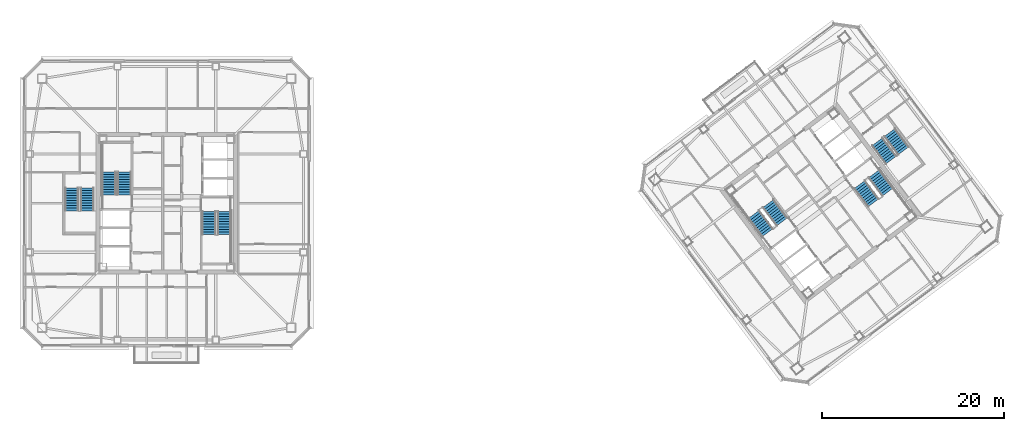
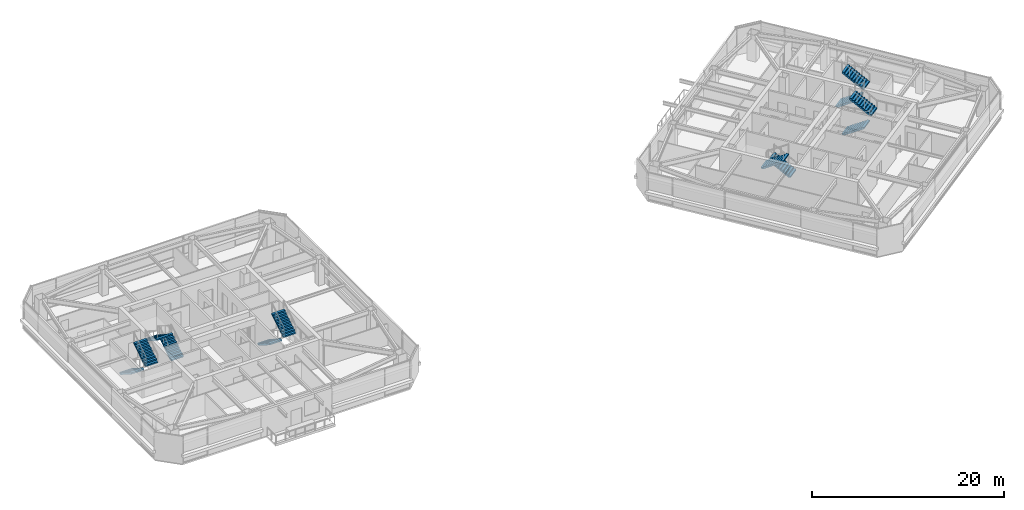
# One storey, part 30 of 36: 12 stair flights, 6 elements without a shape of their own.
"""IFC4 building model written with IfcOpenShell, lengths in metres."""

from ifc_helpers import new_model, si_unit, direction, frame, origin, place, context, subcontext, project, spatial, polyline, outline, extrude, material, type_object, element, aggregate, save


model = new_model("IFC4")

# Units and contexts
model_context = context("Model", 3, precision=1e-05, world=origin(), true_north=direction((0.0, 1.0)))
body_context = subcontext(model_context, "Body", "Model", "MODEL_VIEW")
ifc_project = project(units=[si_unit("LENGTHUNIT", "METRE"), si_unit("AREAUNIT", "SQUARE_METRE"), si_unit("VOLUMEUNIT", "CUBIC_METRE"), si_unit("PLANEANGLEUNIT", "RADIAN"), si_unit("MASSUNIT", "GRAM", prefix="KILO")], contexts=[model_context])

# Site, building, storey
site_placement = place(None, origin())
site = spatial("IfcSite", under=ifc_project, at=site_placement, CompositionType="ELEMENT")
building_placement = place(site_placement, origin())
building = spatial("IfcBuilding", under=site, at=building_placement, Name="Tashvorn Skyway Center", CompositionType="ELEMENT")
storey_placement = place(building_placement, frame((0.0, 0.0, 236.14990234375)))
storey = spatial("IfcBuildingStorey", under=building, at=storey_placement, Name="L64", CompositionType="ELEMENT", Elevation=236.14990234375)

# Stair, stair flights
ifc_material = material(Name="Concrete C40/50", Category="concrete")
stair_type = type_object("IfcStairType", Name="STAIR-CORE-1500", PredefinedType="HALF_TURN_STAIR", material=ifc_material)
stair_1_placement = place(storey_placement, origin())
stair_1 = element("IfcStair", 1, at=stair_1_placement, inside=storey, type_object=stair_type, Name="L64 Tower 1 Exit Stair 1", PredefinedType="HALF_TURN_STAIR")
stair_flight_type = type_object("IfcStairFlightType", Name="SFLIGHT-1500", PredefinedType="STRAIGHT", material=ifc_material)
stair_flight_1_placement = place(storey_placement, frame((37.35009765625, 32.919921875, 0.0), z_axis=(0.0, 0.0, 1.0), x_axis=(0.0, 1.0, 0.0)))
stair_flight_1 = element("IfcStairFlight", 2, at=stair_flight_1_placement, type_object=stair_flight_type, Name="ST-T1-1 flight 1", NumberOfRisers=10, NumberOfTreads=9, PredefinedType="STRAIGHT", RiserHeight=0.1775, TreadLength=0.28, context=body_context, shape_type="SweptSolid", body=[
    extrude(outline(polyline([(0.0, 0.0), (0.0, 0.177490234375), (0.280029296875, 0.177490234375), (0.280029296875, 0.35498046875), (0.56005859375, 0.35498046875), (0.56005859375, 0.532470703125), (0.840087890625, 0.532470703125), (0.840087890625, 0.7099609375), (1.1201171875, 0.7099609375), (1.1201171875, 0.887451171875), (1.39990234375, 0.887451171875), (1.39990234375, 1.06494140625), (1.679931640625, 1.06494140625), (1.679931640625, 1.242431640625), (1.9599609375, 1.242431640625), (1.9599609375, 1.419921875), (2.239990234375, 1.419921875), (2.239990234375, 1.597412109375), (2.52001953125, 1.597412109375), (2.52001953125, 1.77490234375), (2.52001953125, 1.419921875), (0.280029296875, 0.0), (0.0, 0.0)])), frame((0.0, 0.75, 0.0), z_axis=(0.0, -1.0, 0.0), x_axis=(1.0, 0.0, 0.0)), (0.0, 0.0, 1.0), 1.5),
])
stair_flight_2_placement = place(storey_placement, frame((35.64990234375, 35.43994140625, 1.775146484375), z_axis=(0.0, 0.0, 1.0), x_axis=(0.0, -1.0, 0.0)))
stair_flight_2 = element("IfcStairFlight", 3, at=stair_flight_2_placement, type_object=stair_flight_type, Name="ST-T1-1 flight 2", NumberOfRisers=10, NumberOfTreads=9, PredefinedType="STRAIGHT", RiserHeight=0.1775, TreadLength=0.28, context=body_context, shape_type="SweptSolid", body=[
    extrude(outline(polyline([(0.0, 0.0), (0.0, 0.177490234375), (0.280029296875, 0.177490234375), (0.280029296875, 0.35498046875), (0.56005859375, 0.35498046875), (0.56005859375, 0.532470703125), (0.840087890625, 0.532470703125), (0.840087890625, 0.7099609375), (1.1201171875, 0.7099609375), (1.1201171875, 0.887451171875), (1.39990234375, 0.887451171875), (1.39990234375, 1.06494140625), (1.679931640625, 1.06494140625), (1.679931640625, 1.242431640625), (1.9599609375, 1.242431640625), (1.9599609375, 1.419921875), (2.239990234375, 1.419921875), (2.239990234375, 1.597412109375), (2.52001953125, 1.597412109375), (2.52001953125, 1.77490234375), (2.52001953125, 1.419921875), (0.280029296875, 0.0), (0.0, 0.0)])), frame((0.0, 0.75, 0.0), z_axis=(0.0, -1.0, 0.0), x_axis=(1.0, 0.0, 0.0)), (0.0, 0.0, 1.0), 1.5),
])
aggregate(stair_1, [stair_flight_1, stair_flight_2])

stair_2_placement = place(storey_placement, origin())
stair_2 = element("IfcStair", 4, at=stair_2_placement, inside=storey, type_object=stair_type, Name="L64 Tower 1 Exit Stair 2", PredefinedType="HALF_TURN_STAIR")
stair_flight_3_placement = place(storey_placement, frame((46.64990234375, 31.080078125, 0.0), z_axis=(0.0, 0.0, 1.0), x_axis=(0.0, -1.0, 0.0)))
stair_flight_3 = element("IfcStairFlight", 5, at=stair_flight_3_placement, type_object=stair_flight_type, Name="ST-T1-2 flight 1", NumberOfRisers=10, NumberOfTreads=9, PredefinedType="STRAIGHT", RiserHeight=0.1775, TreadLength=0.28, context=body_context, shape_type="SweptSolid", body=[
    extrude(outline(polyline([(0.0, 0.0), (0.0, 0.177490234375), (0.280029296875, 0.177490234375), (0.280029296875, 0.35498046875), (0.56005859375, 0.35498046875), (0.56005859375, 0.532470703125), (0.840087890625, 0.532470703125), (0.840087890625, 0.7099609375), (1.1201171875, 0.7099609375), (1.1201171875, 0.887451171875), (1.39990234375, 0.887451171875), (1.39990234375, 1.06494140625), (1.679931640625, 1.06494140625), (1.679931640625, 1.242431640625), (1.9599609375, 1.242431640625), (1.9599609375, 1.419921875), (2.239990234375, 1.419921875), (2.239990234375, 1.597412109375), (2.52001953125, 1.597412109375), (2.52001953125, 1.77490234375), (2.52001953125, 1.419921875), (0.280029296875, 0.0), (0.0, 0.0)])), frame((0.0, 0.75, 0.0), z_axis=(0.0, -1.0, 0.0), x_axis=(1.0, 0.0, 0.0)), (0.0, 0.0, 1.0), 1.5),
])
stair_flight_4_placement = place(storey_placement, frame((48.35009765625, 28.56005859375, 1.775146484375), z_axis=(0.0, 0.0, 1.0), x_axis=(0.0, 1.0, 0.0)))
stair_flight_4 = element("IfcStairFlight", 6, at=stair_flight_4_placement, type_object=stair_flight_type, Name="ST-T1-2 flight 2", NumberOfRisers=10, NumberOfTreads=9, PredefinedType="STRAIGHT", RiserHeight=0.1775, TreadLength=0.28, context=body_context, shape_type="SweptSolid", body=[
    extrude(outline(polyline([(0.0, 0.0), (0.0, 0.177490234375), (0.280029296875, 0.177490234375), (0.280029296875, 0.35498046875), (0.56005859375, 0.35498046875), (0.56005859375, 0.532470703125), (0.840087890625, 0.532470703125), (0.840087890625, 0.7099609375), (1.1201171875, 0.7099609375), (1.1201171875, 0.887451171875), (1.39990234375, 0.887451171875), (1.39990234375, 1.06494140625), (1.679931640625, 1.06494140625), (1.679931640625, 1.242431640625), (1.9599609375, 1.242431640625), (1.9599609375, 1.419921875), (2.239990234375, 1.419921875), (2.239990234375, 1.597412109375), (2.52001953125, 1.597412109375), (2.52001953125, 1.77490234375), (2.52001953125, 1.419921875), (0.280029296875, 0.0), (0.0, 0.0)])), frame((0.0, 0.75, 0.0), z_axis=(0.0, -1.0, 0.0), x_axis=(1.0, 0.0, 0.0)), (0.0, 0.0, 1.0), 1.5),
])
aggregate(stair_2, [stair_flight_3, stair_flight_4])

stair_3_placement = place(storey_placement, origin())
stair_3 = element("IfcStair", 7, at=stair_3_placement, inside=storey, type_object=stair_type, Name="L64 Tower 2 Exit Stair 1", PredefinedType="HALF_TURN_STAIR")
stair_flight_5_placement = place(storey_placement, frame((109.72802734375, 29.946044921875, 0.0), z_axis=(0.0, 0.0, 1.0), x_axis=(-0.600000004945, 0.799999996291, 0.0)))
stair_flight_5 = element("IfcStairFlight", 8, at=stair_flight_5_placement, type_object=stair_flight_type, Name="ST-T2-1 flight 1", NumberOfRisers=10, NumberOfTreads=9, PredefinedType="STRAIGHT", RiserHeight=0.1775, TreadLength=0.28, context=body_context, shape_type="SweptSolid", body=[
    extrude(outline(polyline([(0.0, 0.0), (0.0, 0.177490234375), (0.280029296875, 0.177490234375), (0.280029296875, 0.35498046875), (0.56005859375, 0.35498046875), (0.56005859375, 0.532470703125), (0.840087890625, 0.532470703125), (0.840087890625, 0.7099609375), (1.1201171875, 0.7099609375), (1.1201171875, 0.887451171875), (1.39990234375, 0.887451171875), (1.39990234375, 1.06494140625), (1.679931640625, 1.06494140625), (1.679931640625, 1.242431640625), (1.9599609375, 1.242431640625), (1.9599609375, 1.419921875), (2.239990234375, 1.419921875), (2.239990234375, 1.597412109375), (2.52001953125, 1.597412109375), (2.52001953125, 1.77490234375), (2.52001953125, 1.419921875), (0.280029296875, 0.0), (0.0, 0.0)])), frame((0.0, 0.75, 0.0), z_axis=(0.0, -1.0, 0.0), x_axis=(1.0, 0.0, 0.0)), (0.0, 0.0, 1.0), 1.5),
])
stair_flight_6_placement = place(storey_placement, frame((106.632080078125, 30.77392578125, 1.775146484375), z_axis=(0.0, 0.0, 1.0), x_axis=(0.600000004945, -0.799999996291, 0.0)))
stair_flight_6 = element("IfcStairFlight", 9, at=stair_flight_6_placement, type_object=stair_flight_type, Name="ST-T2-1 flight 2", NumberOfRisers=10, NumberOfTreads=9, PredefinedType="STRAIGHT", RiserHeight=0.1775, TreadLength=0.28, context=body_context, shape_type="SweptSolid", body=[
    extrude(outline(polyline([(0.0, 0.0), (0.0, 0.177490234375), (0.280029296875, 0.177490234375), (0.280029296875, 0.35498046875), (0.56005859375, 0.35498046875), (0.56005859375, 0.532470703125), (0.840087890625, 0.532470703125), (0.840087890625, 0.7099609375), (1.1201171875, 0.7099609375), (1.1201171875, 0.887451171875), (1.39990234375, 0.887451171875), (1.39990234375, 1.06494140625), (1.679931640625, 1.06494140625), (1.679931640625, 1.242431640625), (1.9599609375, 1.242431640625), (1.9599609375, 1.419921875), (2.239990234375, 1.419921875), (2.239990234375, 1.597412109375), (2.52001953125, 1.597412109375), (2.52001953125, 1.77490234375), (2.52001953125, 1.419921875), (0.280029296875, 0.0), (0.0, 0.0)])), frame((0.0, 0.75, 0.0), z_axis=(0.0, -1.0, 0.0), x_axis=(1.0, 0.0, 0.0)), (0.0, 0.0, 1.0), 1.5),
])
aggregate(stair_3, [stair_flight_5, stair_flight_6])

stair_4_placement = place(storey_placement, origin())
stair_4 = element("IfcStair", 10, at=stair_4_placement, inside=storey, type_object=stair_type, Name="L64 Tower 2 Exit Stair 2", PredefinedType="HALF_TURN_STAIR")
stair_flight_7_placement = place(storey_placement, frame((118.27197265625, 34.053955078125, 0.0), z_axis=(0.0, 0.0, 1.0), x_axis=(0.600000004945, -0.799999996291, 0.0)))
stair_flight_7 = element("IfcStairFlight", 11, at=stair_flight_7_placement, type_object=stair_flight_type, Name="ST-T2-2 flight 1", NumberOfRisers=10, NumberOfTreads=9, PredefinedType="STRAIGHT", RiserHeight=0.1775, TreadLength=0.28, context=body_context, shape_type="SweptSolid", body=[
    extrude(outline(polyline([(0.0, 0.0), (0.0, 0.177490234375), (0.280029296875, 0.177490234375), (0.280029296875, 0.35498046875), (0.56005859375, 0.35498046875), (0.56005859375, 0.532470703125), (0.840087890625, 0.532470703125), (0.840087890625, 0.7099609375), (1.1201171875, 0.7099609375), (1.1201171875, 0.887451171875), (1.39990234375, 0.887451171875), (1.39990234375, 1.06494140625), (1.679931640625, 1.06494140625), (1.679931640625, 1.242431640625), (1.9599609375, 1.242431640625), (1.9599609375, 1.419921875), (2.239990234375, 1.419921875), (2.239990234375, 1.597412109375), (2.52001953125, 1.597412109375), (2.52001953125, 1.77490234375), (2.52001953125, 1.419921875), (0.280029296875, 0.0), (0.0, 0.0)])), frame((0.0, 0.75, 0.0), z_axis=(0.0, -1.0, 0.0), x_axis=(1.0, 0.0, 0.0)), (0.0, 0.0, 1.0), 1.5),
])
stair_flight_8_placement = place(storey_placement, frame((121.367919921875, 33.22607421875, 1.775146484375), z_axis=(0.0, 0.0, 1.0), x_axis=(-0.600000004945, 0.799999996291, 0.0)))
stair_flight_8 = element("IfcStairFlight", 12, at=stair_flight_8_placement, type_object=stair_flight_type, Name="ST-T2-2 flight 2", NumberOfRisers=10, NumberOfTreads=9, PredefinedType="STRAIGHT", RiserHeight=0.1775, TreadLength=0.28, context=body_context, shape_type="SweptSolid", body=[
    extrude(outline(polyline([(0.0, 0.0), (0.0, 0.177490234375), (0.280029296875, 0.177490234375), (0.280029296875, 0.35498046875), (0.56005859375, 0.35498046875), (0.56005859375, 0.532470703125), (0.840087890625, 0.532470703125), (0.840087890625, 0.7099609375), (1.1201171875, 0.7099609375), (1.1201171875, 0.887451171875), (1.39990234375, 0.887451171875), (1.39990234375, 1.06494140625), (1.679931640625, 1.06494140625), (1.679931640625, 1.242431640625), (1.9599609375, 1.242431640625), (1.9599609375, 1.419921875), (2.239990234375, 1.419921875), (2.239990234375, 1.597412109375), (2.52001953125, 1.597412109375), (2.52001953125, 1.77490234375), (2.52001953125, 1.419921875), (0.280029296875, 0.0), (0.0, 0.0)])), frame((0.0, 0.75, 0.0), z_axis=(0.0, -1.0, 0.0), x_axis=(1.0, 0.0, 0.0)), (0.0, 0.0, 1.0), 1.5),
])
aggregate(stair_4, [stair_flight_7, stair_flight_8])

stair_5_placement = place(storey_placement, origin())
stair_5 = element("IfcStair", 13, at=stair_5_placement, inside=storey, type_object=stair_type, Name="L64 Tower 1 Exit Stair 3", PredefinedType="HALF_TURN_STAIR")
stair_flight_9_placement = place(storey_placement, frame((31.550048828125, 33.679931640625, 0.0), z_axis=(0.0, 0.0, 1.0), x_axis=(0.0, -1.0, 0.0)))
stair_flight_9 = element("IfcStairFlight", 14, at=stair_flight_9_placement, type_object=stair_flight_type, Name="ST-T1-3 flight 1", NumberOfRisers=10, NumberOfTreads=9, PredefinedType="STRAIGHT", RiserHeight=0.1775, TreadLength=0.28, context=body_context, shape_type="SweptSolid", body=[
    extrude(outline(polyline([(0.0, 0.0), (0.0, 0.177490234375), (0.280029296875, 0.177490234375), (0.280029296875, 0.35498046875), (0.56005859375, 0.35498046875), (0.56005859375, 0.532470703125), (0.840087890625, 0.532470703125), (0.840087890625, 0.7099609375), (1.1201171875, 0.7099609375), (1.1201171875, 0.887451171875), (1.39990234375, 0.887451171875), (1.39990234375, 1.06494140625), (1.679931640625, 1.06494140625), (1.679931640625, 1.242431640625), (1.9599609375, 1.242431640625), (1.9599609375, 1.419921875), (2.239990234375, 1.419921875), (2.239990234375, 1.597412109375), (2.52001953125, 1.597412109375), (2.52001953125, 1.77490234375), (2.52001953125, 1.419921875), (0.280029296875, 0.0), (0.0, 0.0)])), frame((0.0, 0.75, 0.0), z_axis=(0.0, -1.0, 0.0), x_axis=(1.0, 0.0, 0.0)), (0.0, 0.0, 1.0), 1.5),
])
stair_flight_10_placement = place(storey_placement, frame((33.25, 31.159912109375, 1.775146484375), z_axis=(0.0, 0.0, 1.0), x_axis=(0.0, 1.0, 0.0)))
stair_flight_10 = element("IfcStairFlight", 15, at=stair_flight_10_placement, type_object=stair_flight_type, Name="ST-T1-3 flight 2", NumberOfRisers=10, NumberOfTreads=9, PredefinedType="STRAIGHT", RiserHeight=0.1775, TreadLength=0.28, context=body_context, shape_type="SweptSolid", body=[
    extrude(outline(polyline([(0.0, 0.0), (0.0, 0.177490234375), (0.280029296875, 0.177490234375), (0.280029296875, 0.35498046875), (0.56005859375, 0.35498046875), (0.56005859375, 0.532470703125), (0.840087890625, 0.532470703125), (0.840087890625, 0.7099609375), (1.1201171875, 0.7099609375), (1.1201171875, 0.887451171875), (1.39990234375, 0.887451171875), (1.39990234375, 1.06494140625), (1.679931640625, 1.06494140625), (1.679931640625, 1.242431640625), (1.9599609375, 1.242431640625), (1.9599609375, 1.419921875), (2.239990234375, 1.419921875), (2.239990234375, 1.597412109375), (2.52001953125, 1.597412109375), (2.52001953125, 1.77490234375), (2.52001953125, 1.419921875), (0.280029296875, 0.0), (0.0, 0.0)])), frame((0.0, 0.75, 0.0), z_axis=(0.0, -1.0, 0.0), x_axis=(1.0, 0.0, 0.0)), (0.0, 0.0, 1.0), 1.5),
])
aggregate(stair_5, [stair_flight_9, stair_flight_10])

stair_6_placement = place(storey_placement, origin())
stair_6 = element("IfcStair", 16, at=stair_6_placement, inside=storey, type_object=stair_type, Name="L64 Tower 2 Exit Stair 3", PredefinedType="HALF_TURN_STAIR")
stair_flight_11_placement = place(storey_placement, frame((120.216064453125, 38.761962890625, 0.0), z_axis=(0.0, 0.0, 1.0), x_axis=(0.600000004945, -0.799999996291, 0.0)))
stair_flight_11 = element("IfcStairFlight", 17, at=stair_flight_11_placement, type_object=stair_flight_type, Name="ST-T2-3 flight 1", NumberOfRisers=10, NumberOfTreads=9, PredefinedType="STRAIGHT", RiserHeight=0.1775, TreadLength=0.28, context=body_context, shape_type="SweptSolid", body=[
    extrude(outline(polyline([(0.0, 0.0), (0.0, 0.177490234375), (0.280029296875, 0.177490234375), (0.280029296875, 0.35498046875), (0.56005859375, 0.35498046875), (0.56005859375, 0.532470703125), (0.840087890625, 0.532470703125), (0.840087890625, 0.7099609375), (1.1201171875, 0.7099609375), (1.1201171875, 0.887451171875), (1.39990234375, 0.887451171875), (1.39990234375, 1.06494140625), (1.679931640625, 1.06494140625), (1.679931640625, 1.242431640625), (1.9599609375, 1.242431640625), (1.9599609375, 1.419921875), (2.239990234375, 1.419921875), (2.239990234375, 1.597412109375), (2.52001953125, 1.597412109375), (2.52001953125, 1.77490234375), (2.52001953125, 1.419921875), (0.280029296875, 0.0), (0.0, 0.0)])), frame((0.0, 0.75, 0.0), z_axis=(0.0, -1.0, 0.0), x_axis=(1.0, 0.0, 0.0)), (0.0, 0.0, 1.0), 1.5),
])
stair_flight_12_placement = place(storey_placement, frame((123.087890625, 37.76611328125, 1.775146484375), z_axis=(0.0, 0.0, 1.0), x_axis=(-0.600000004945, 0.799999996291, 0.0)))
stair_flight_12 = element("IfcStairFlight", 18, at=stair_flight_12_placement, type_object=stair_flight_type, Name="ST-T2-3 flight 2", NumberOfRisers=10, NumberOfTreads=9, PredefinedType="STRAIGHT", RiserHeight=0.1775, TreadLength=0.28, context=body_context, shape_type="SweptSolid", body=[
    extrude(outline(polyline([(0.0, 0.0), (0.0, 0.177490234375), (0.280029296875, 0.177490234375), (0.280029296875, 0.35498046875), (0.56005859375, 0.35498046875), (0.56005859375, 0.532470703125), (0.840087890625, 0.532470703125), (0.840087890625, 0.7099609375), (1.1201171875, 0.7099609375), (1.1201171875, 0.887451171875), (1.39990234375, 0.887451171875), (1.39990234375, 1.06494140625), (1.679931640625, 1.06494140625), (1.679931640625, 1.242431640625), (1.9599609375, 1.242431640625), (1.9599609375, 1.419921875), (2.239990234375, 1.419921875), (2.239990234375, 1.597412109375), (2.52001953125, 1.597412109375), (2.52001953125, 1.77490234375), (2.52001953125, 1.419921875), (0.280029296875, 0.0), (0.0, 0.0)])), frame((0.0, 0.75, 0.0), z_axis=(0.0, -1.0, 0.0), x_axis=(1.0, 0.0, 0.0)), (0.0, 0.0, 1.0), 1.5),
])
aggregate(stair_6, [stair_flight_11, stair_flight_12])

save(model, "model.ifc")
